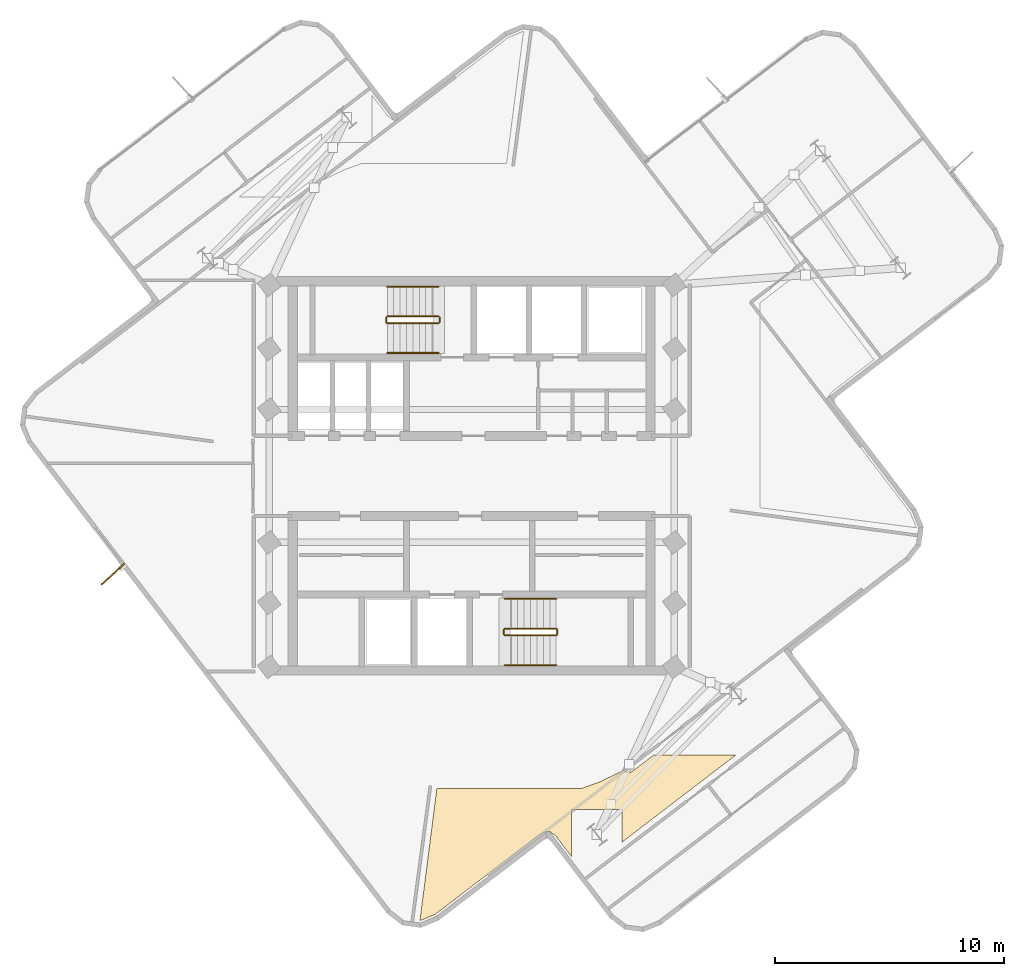
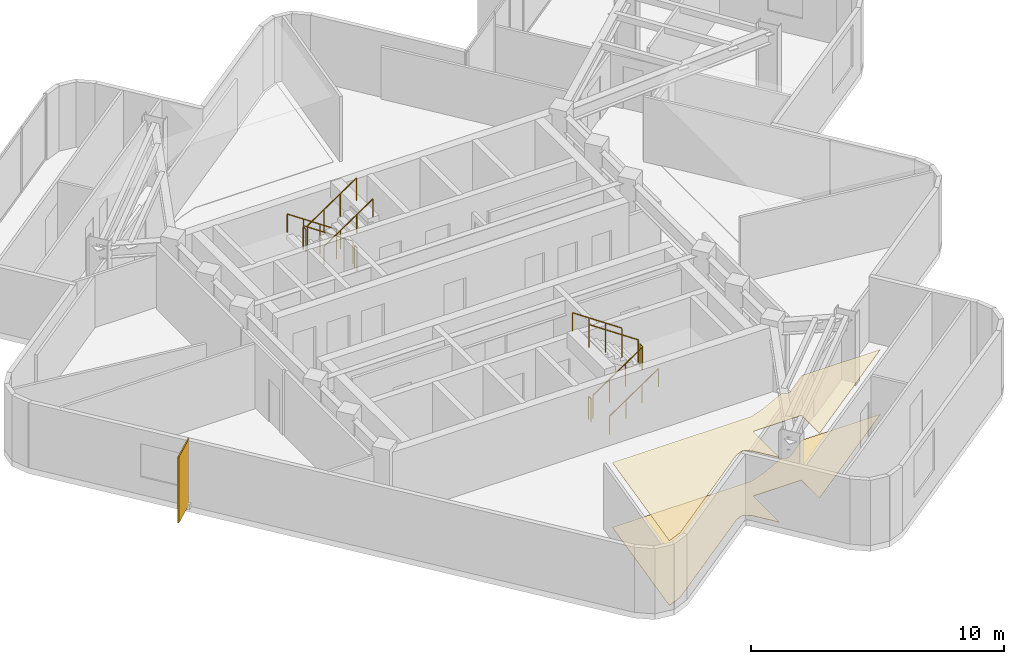
# One storey, part 7 of 8: 12 railings, 2 coverings, 1 shading device.
"""IFC4 building model written with IfcOpenShell, lengths in metres."""

from ifc_helpers import new_model, si_unit, direction, frame, origin, origin_2d, place, context, subcontext, project, spatial, polyline, rectangle, circle, outline, extrude, material, layer, layer_set, type_object, element, save


model = new_model("IFC4")

# Units and contexts
model_context = context("Model", 3, precision=1e-05, world=origin(), true_north=direction((0.0, 1.0)))
body_context = subcontext(model_context, "Body", "Model", "MODEL_VIEW")
ifc_project = project(units=[si_unit("LENGTHUNIT", "METRE"), si_unit("AREAUNIT", "SQUARE_METRE"), si_unit("VOLUMEUNIT", "CUBIC_METRE"), si_unit("PLANEANGLEUNIT", "RADIAN"), si_unit("MASSUNIT", "GRAM", prefix="KILO")], contexts=[model_context])

# Site, building, storey
site_placement = place(None, origin())
site = spatial("IfcSite", under=ifc_project, at=site_placement, CompositionType="ELEMENT")
building_placement = place(site_placement, origin())
building = spatial("IfcBuilding", under=site, at=building_placement, Name="Solmarez Civic Tower", CompositionType="ELEMENT")
storey_placement = place(building_placement, frame((0.0, 0.0, 232.56005859375)))
storey = spatial("IfcBuildingStorey", under=building, at=storey_placement, Name="L62", CompositionType="ELEMENT", Elevation=232.56005859375)

# Coverings
ifc_material_1 = material(Name="Perforated Mineral-Fibre Acoustic Ceiling")
ifc_layer_1 = layer(ifc_material_1, 0.02490234375)
ifc_layer_set_1 = layer_set([ifc_layer_1], Name="Perforated Mineral-Fibre Acoustic Ceiling")
covering_type_1 = type_object("IfcCoveringType", Name="COV-CEIL-ACOUSTIC", PredefinedType="CEILING", material=ifc_layer_set_1)
covering_1_placement = place(storey_placement, frame((0.0, 0.0, 3.114990234375)))
element("IfcCovering", 1, at=covering_1_placement, inside=storey, type_object=covering_type_1, Name="L62 Suspended Acoustic Ceiling 1", PredefinedType="CEILING", context=body_context, shape_type="SweptSolid", body=[
    extrude(outline(polyline([(3.47412109375, -15.58203125), (3.4990234375, -15.59912109375), (3.637939453125, -15.7060546875), (3.64306640625, -15.7099609375), (3.662109375, -15.72607421875), (3.6669921875, -15.73095703125), (3.679931640625, -15.74609375), (3.68505859375, -15.751953125), (3.69091796875, -15.759033203125), (4.367919921875, -16.64501953125), (4.367919921875, -14.571044921875), (6.568115234375, -14.571044921875), (6.568115234375, -16.0), (11.5380859375, -12.199951171875), (7.949951171875, -12.199951171875), (7.028076171875, -12.905029296875), (7.010986328125, -12.9169921875), (6.991943359375, -12.927001953125), (6.98388671875, -12.930908203125), (6.967041015625, -12.93896484375), (6.947998046875, -12.945068359375), (6.928955078125, -12.949951171875), (6.924072265625, -12.950927734375), (6.9189453125, -12.951904296875), (6.9140625, -12.952880859375), (6.89306640625, -12.9560546875), (6.87109375, -12.95703125), (6.865966796875, -12.95703125), (6.842041015625, -12.9560546875), (6.8330078125, -12.955078125), (6.81298828125, -12.951904296875), (6.7939453125, -12.947021484375), (6.784912109375, -12.944091796875), (6.76611328125, -12.93701171875), (6.748046875, -12.928955078125), (6.72998046875, -12.919921875), (6.721923828125, -12.9150390625), (6.701904296875, -12.89990234375), (6.68310546875, -12.884033203125), (6.676025390625, -12.876953125), (6.672119140625, -12.873046875), (6.660888671875, -12.85888671875), (5.552978515625, -13.384033203125), (5.532958984375, -13.39208984375), (4.85107421875, -13.635986328125), (4.844970703125, -13.637939453125), (4.818115234375, -13.64501953125), (4.81298828125, -13.64599609375), (4.7919921875, -13.64892578125), (4.77001953125, -13.64990234375), (-1.52294921875, -13.64990234375), (-2.262939453125, -19.430908203125), (-2.256103515625, -19.431884765625), (-1.60205078125, -19.162109375), (2.97412109375, -15.6630859375), (2.986083984375, -15.655029296875), (2.991943359375, -15.65087890625), (3.01611328125, -15.636962890625), (3.02197265625, -15.634033203125), (3.028076171875, -15.631103515625), (3.0419921875, -15.625), (3.200927734375, -15.55908203125), (3.22509765625, -15.550048828125), (3.23193359375, -15.548095703125), (3.239013671875, -15.547119140625), (3.2470703125, -15.544921875), (3.26904296875, -15.5400390625), (3.280029296875, -15.5390625), (3.2880859375, -15.5380859375), (3.305908203125, -15.535888671875), (3.323974609375, -15.535888671875), (3.342041015625, -15.5380859375), (3.35400390625, -15.5390625), (3.35888671875, -15.5400390625), (3.364990234375, -15.541015625), (3.385986328125, -15.5439453125), (3.405029296875, -15.550048828125), (3.425048828125, -15.556884765625), (3.431884765625, -15.56005859375), (3.43896484375, -15.56298828125), (3.45703125, -15.572021484375), (3.47412109375, -15.58203125)])), origin(), (0.0, 0.0, 1.0), 0.02490234375),
])
ifc_material_2 = material(Name="Polished Tropical Stone Terrazzo Flooring", Category="masonry")
ifc_layer_2 = layer(ifc_material_2, 0.02001953125)
ifc_layer_set_2 = layer_set([ifc_layer_2], Name="Polished Tropical Stone Terrazzo Flooring")
covering_type_2 = type_object("IfcCoveringType", Name="COV-FLOOR-TERRAZZO", PredefinedType="FLOORING", material=ifc_layer_set_2)
covering_2_placement = place(storey_placement, origin())
element("IfcCovering", 2, at=covering_2_placement, inside=storey, type_object=covering_type_2, Name="L62 Terrazzo Floor Finish 1", PredefinedType="FLOORING", context=body_context, shape_type="SweptSolid", body=[
    extrude(outline(polyline([(3.47412109375, -15.58203125), (3.4990234375, -15.59912109375), (3.637939453125, -15.7060546875), (3.64306640625, -15.7099609375), (3.662109375, -15.72607421875), (3.6669921875, -15.73095703125), (3.679931640625, -15.74609375), (3.68505859375, -15.751953125), (3.69091796875, -15.759033203125), (4.367919921875, -16.64501953125), (4.367919921875, -14.571044921875), (6.568115234375, -14.571044921875), (6.568115234375, -16.0), (11.5380859375, -12.199951171875), (7.949951171875, -12.199951171875), (7.028076171875, -12.905029296875), (7.010986328125, -12.9169921875), (6.991943359375, -12.927001953125), (6.98388671875, -12.930908203125), (6.967041015625, -12.93896484375), (6.947998046875, -12.945068359375), (6.928955078125, -12.949951171875), (6.924072265625, -12.950927734375), (6.9189453125, -12.951904296875), (6.9140625, -12.952880859375), (6.89306640625, -12.9560546875), (6.87109375, -12.95703125), (6.865966796875, -12.95703125), (6.842041015625, -12.9560546875), (6.8330078125, -12.955078125), (6.81298828125, -12.951904296875), (6.7939453125, -12.947021484375), (6.784912109375, -12.944091796875), (6.76611328125, -12.93701171875), (6.748046875, -12.928955078125), (6.72998046875, -12.919921875), (6.721923828125, -12.9150390625), (6.701904296875, -12.89990234375), (6.68310546875, -12.884033203125), (6.676025390625, -12.876953125), (6.672119140625, -12.873046875), (6.660888671875, -12.85888671875), (5.552978515625, -13.384033203125), (5.532958984375, -13.39208984375), (4.85107421875, -13.635986328125), (4.844970703125, -13.637939453125), (4.818115234375, -13.64501953125), (4.81298828125, -13.64599609375), (4.7919921875, -13.64892578125), (4.77001953125, -13.64990234375), (-1.52294921875, -13.64990234375), (-2.262939453125, -19.430908203125), (-2.256103515625, -19.431884765625), (-1.60205078125, -19.162109375), (2.97412109375, -15.6630859375), (2.986083984375, -15.655029296875), (2.991943359375, -15.65087890625), (3.01611328125, -15.636962890625), (3.02197265625, -15.634033203125), (3.028076171875, -15.631103515625), (3.0419921875, -15.625), (3.200927734375, -15.55908203125), (3.22509765625, -15.550048828125), (3.23193359375, -15.548095703125), (3.239013671875, -15.547119140625), (3.2470703125, -15.544921875), (3.26904296875, -15.5400390625), (3.280029296875, -15.5390625), (3.2880859375, -15.5380859375), (3.305908203125, -15.535888671875), (3.323974609375, -15.535888671875), (3.342041015625, -15.5380859375), (3.35400390625, -15.5390625), (3.35888671875, -15.5400390625), (3.364990234375, -15.541015625), (3.385986328125, -15.5439453125), (3.405029296875, -15.550048828125), (3.425048828125, -15.556884765625), (3.431884765625, -15.56005859375), (3.43896484375, -15.56298828125), (3.45703125, -15.572021484375), (3.47412109375, -15.58203125)])), origin(), (0.0, 0.0, 1.0), 0.02001953125),
])

# Shading device
ifc_material_3 = material(Name="Bronze Anodised Aluminium EN AW-6063 T6", Category="aluminium")
ifc_layer_3 = layer(ifc_material_3, 0.054931640625)
ifc_layer_set_3 = layer_set([ifc_layer_3], Name="Bronze Anodised Aluminium EN AW-6063 T6")
shading_device_type = type_object("IfcShadingDeviceType", Name="FIN-BRONZE-Z56", PredefinedType="USERDEFINED", material=ifc_layer_set_3)
shading_device_placement = place(storey_placement, frame((-15.68701171875, -4.302978515625, -0.0400390625), z_axis=(0.0, 0.0, 1.0), x_axis=(-0.736215213051, -0.676747486196, 0.0)))
element("IfcShadingDevice", 3, at=shading_device_placement, inside=storey, type_object=shading_device_type, Name="L62 Anodised Bronze Solar Fin FIN-L62-01", ObjectType="FIN", PredefinedType="USERDEFINED", context=body_context, shape_type="SweptSolid", body=[
    extrude(rectangle(XDim=1.35009765625, YDim=0.054931640625, at=origin_2d()), origin(), (0.0, 0.0, 1.0), 3.179931640625),
])

# Railings
ifc_material_4 = material(Name="Painted Steel Stairwell Safety Guard", Category="steel")
railing_type_1 = type_object("IfcRailingType", Name="GUARD-STAIR-1120", PredefinedType="BALUSTRADE", material=ifc_material_4)
railing_1_placement = place(storey_placement, frame((-1.449951171875, 6.969970703125, 0.18994140625)))
element("IfcRailing", 4, at=railing_1_placement, inside=storey, type_object=railing_type_1, Name="L62 ST-1 stair guard 1", PredefinedType="BALUSTRADE", context=body_context, shape_type="SweptSolid", body=[
    extrude(circle(Radius=0.02392578125, at=origin_2d()), frame((0.0, 0.0, 1.09619140625), z_axis=(-0.827471284677, 0.0, 0.561508034703), x_axis=(0.0, -1.0, 0.0)), (0.0, 0.0, 1.0), 2.70703125),
    extrude(circle(Radius=0.02099609375, at=origin_2d()), origin(), (0.0, 0.0, 1.0), 1.072021484375),
    extrude(circle(Radius=0.02099609375, at=origin_2d()), frame((-0.74658203125, 0.0, 0.506591796875)), (0.0, 0.0, 1.0), 1.072021484375),
    extrude(circle(Radius=0.02099609375, at=origin_2d()), frame((-1.493408203125, 0.0, 1.013427734375)), (0.0, 0.0, 1.0), 1.072021484375),
    extrude(circle(Radius=0.02099609375, at=origin_2d()), frame((-2.239990234375, 0.0, 1.52001953125)), (0.0, 0.0, 1.0), 1.072021484375),
])
railing_2_placement = place(storey_placement, frame((-3.739990234375, 6.919921875, 1.7099609375)))
element("IfcRailing", 5, at=railing_2_placement, inside=storey, type_object=railing_type_1, Name="L62 ST-1 stair guard 2", PredefinedType="BALUSTRADE", context=body_context, shape_type="SweptSolid", body=[
    extrude(circle(Radius=0.02392578125, at=origin_2d()), frame((0.0, 0.0, 1.09619140625), z_axis=(0.0, -1.0, 0.0), x_axis=(1.0, 0.0, 0.0)), (0.0, 0.0, 1.0), 0.199951171875),
    extrude(circle(Radius=0.02099609375, at=origin_2d()), origin(), (0.0, 0.0, 1.0), 1.072021484375),
    extrude(circle(Radius=0.02099609375, at=origin_2d()), frame((0.0, -0.199951171875, 0.0)), (0.0, 0.0, 1.0), 1.072021484375),
])
railing_3_placement = place(storey_placement, frame((-3.68994140625, 6.669921875, 1.89990234375)))
element("IfcRailing", 6, at=railing_3_placement, inside=storey, type_object=railing_type_1, Name="L62 ST-1 stair guard 3", PredefinedType="BALUSTRADE", context=body_context, shape_type="SweptSolid", body=[
    extrude(circle(Radius=0.02392578125, at=origin_2d()), frame((0.0, 0.0, 1.09619140625), z_axis=(0.827471284677, 0.0, 0.561508034703), x_axis=(0.0, 1.0, 0.0)), (0.0, 0.0, 1.0), 2.70703125),
    extrude(circle(Radius=0.02099609375, at=origin_2d()), origin(), (0.0, 0.0, 1.0), 1.072021484375),
    extrude(circle(Radius=0.02099609375, at=origin_2d()), frame((0.74658203125, 0.0, 0.506591796875)), (0.0, 0.0, 1.0), 1.072021484375),
    extrude(circle(Radius=0.02099609375, at=origin_2d()), frame((1.493408203125, 0.0, 1.013427734375)), (0.0, 0.0, 1.0), 1.072021484375),
    extrude(circle(Radius=0.02099609375, at=origin_2d()), frame((2.239990234375, 0.0, 1.52001953125)), (0.0, 0.0, 1.0), 1.072021484375),
])
railing_4_placement = place(storey_placement, frame((-1.39990234375, 6.919921875, 0.0)))
element("IfcRailing", 7, at=railing_4_placement, inside=storey, type_object=railing_type_1, Name="L62 ST-1 stair guard 4", PredefinedType="BALUSTRADE", context=body_context, shape_type="SweptSolid", body=[
    extrude(circle(Radius=0.02392578125, at=origin_2d()), frame((0.0, 0.0, 1.09619140625), z_axis=(0.0, -1.0, 0.0), x_axis=(1.0, 0.0, 0.0)), (0.0, 0.0, 1.0), 0.199951171875),
    extrude(circle(Radius=0.02099609375, at=origin_2d()), origin(), (0.0, 0.0, 1.0), 1.072021484375),
    extrude(circle(Radius=0.02099609375, at=origin_2d()), frame((0.0, -0.199951171875, 0.0)), (0.0, 0.0, 1.0), 1.072021484375),
])
railing_5_placement = place(storey_placement, frame((1.449951171875, -6.969970703125, 0.18994140625)))
element("IfcRailing", 8, at=railing_5_placement, inside=storey, type_object=railing_type_1, Name="L62 ST-2 stair guard 1", PredefinedType="BALUSTRADE", context=body_context, shape_type="SweptSolid", body=[
    extrude(circle(Radius=0.02392578125, at=origin_2d()), frame((0.0, 0.0, 1.09619140625), z_axis=(0.827471284677, 0.0, 0.561508034703), x_axis=(0.0, 1.0, 0.0)), (0.0, 0.0, 1.0), 2.70703125),
    extrude(circle(Radius=0.02099609375, at=origin_2d()), origin(), (0.0, 0.0, 1.0), 1.072021484375),
    extrude(circle(Radius=0.02099609375, at=origin_2d()), frame((0.74658203125, 0.0, 0.506591796875)), (0.0, 0.0, 1.0), 1.072021484375),
    extrude(circle(Radius=0.02099609375, at=origin_2d()), frame((1.493408203125, 0.0, 1.013427734375)), (0.0, 0.0, 1.0), 1.072021484375),
    extrude(circle(Radius=0.02099609375, at=origin_2d()), frame((2.239990234375, 0.0, 1.52001953125)), (0.0, 0.0, 1.0), 1.072021484375),
])
railing_6_placement = place(storey_placement, frame((3.739990234375, -6.919921875, 1.7099609375)))
element("IfcRailing", 9, at=railing_6_placement, inside=storey, type_object=railing_type_1, Name="L62 ST-2 stair guard 2", PredefinedType="BALUSTRADE", context=body_context, shape_type="SweptSolid", body=[
    extrude(circle(Radius=0.02392578125, at=origin_2d()), frame((0.0, 0.0, 1.09619140625), z_axis=(0.0, 1.0, 0.0), x_axis=(-1.0, 0.0, 0.0)), (0.0, 0.0, 1.0), 0.199951171875),
    extrude(circle(Radius=0.02099609375, at=origin_2d()), origin(), (0.0, 0.0, 1.0), 1.072021484375),
    extrude(circle(Radius=0.02099609375, at=origin_2d()), frame((0.0, 0.199951171875, 0.0)), (0.0, 0.0, 1.0), 1.072021484375),
])
railing_7_placement = place(storey_placement, frame((3.68994140625, -6.669921875, 1.89990234375)))
element("IfcRailing", 10, at=railing_7_placement, inside=storey, type_object=railing_type_1, Name="L62 ST-2 stair guard 3", PredefinedType="BALUSTRADE", context=body_context, shape_type="SweptSolid", body=[
    extrude(circle(Radius=0.02392578125, at=origin_2d()), frame((0.0, 0.0, 1.09619140625), z_axis=(-0.827471284677, 0.0, 0.561508034703), x_axis=(0.0, -1.0, 0.0)), (0.0, 0.0, 1.0), 2.70703125),
    extrude(circle(Radius=0.02099609375, at=origin_2d()), origin(), (0.0, 0.0, 1.0), 1.072021484375),
    extrude(circle(Radius=0.02099609375, at=origin_2d()), frame((-0.74658203125, 0.0, 0.506591796875)), (0.0, 0.0, 1.0), 1.072021484375),
    extrude(circle(Radius=0.02099609375, at=origin_2d()), frame((-1.493408203125, 0.0, 1.013427734375)), (0.0, 0.0, 1.0), 1.072021484375),
    extrude(circle(Radius=0.02099609375, at=origin_2d()), frame((-2.239990234375, 0.0, 1.52001953125)), (0.0, 0.0, 1.0), 1.072021484375),
])
railing_8_placement = place(storey_placement, frame((1.39990234375, -6.919921875, 0.0)))
element("IfcRailing", 11, at=railing_8_placement, inside=storey, type_object=railing_type_1, Name="L62 ST-2 stair guard 4", PredefinedType="BALUSTRADE", context=body_context, shape_type="SweptSolid", body=[
    extrude(circle(Radius=0.02392578125, at=origin_2d()), frame((0.0, 0.0, 1.09619140625), z_axis=(0.0, 1.0, 0.0), x_axis=(-1.0, 0.0, 0.0)), (0.0, 0.0, 1.0), 0.199951171875),
    extrude(circle(Radius=0.02099609375, at=origin_2d()), origin(), (0.0, 0.0, 1.0), 1.072021484375),
    extrude(circle(Radius=0.02099609375, at=origin_2d()), frame((0.0, 0.199951171875, 0.0)), (0.0, 0.0, 1.0), 1.072021484375),
])
ifc_material_5 = material(Name="Brushed Stainless Steel Tube Handrail", Category="steel")
railing_type_2 = type_object("IfcRailingType", Name="HANDRAIL-STAIR-900", PredefinedType="HANDRAIL", material=ifc_material_5)
railing_9_placement = place(storey_placement, frame((-1.449951171875, 8.27001953125, 0.18994140625)))
element("IfcRailing", 12, at=railing_9_placement, inside=storey, type_object=railing_type_2, Name="L62 ST-1 stair handrail 1", PredefinedType="HANDRAIL", context=body_context, shape_type="SweptSolid", body=[
    extrude(circle(Radius=0.02392578125, at=origin_2d()), frame((0.0, 0.0, 0.8759765625), z_axis=(-0.827471284677, 0.0, 0.561508034703), x_axis=(0.0, -1.0, 0.0)), (0.0, 0.0, 1.0), 2.70703125),
    extrude(circle(Radius=0.02099609375, at=origin_2d()), origin(), (0.0, 0.0, 1.0), 0.851806640625),
    extrude(circle(Radius=0.02099609375, at=origin_2d()), frame((-0.74658203125, 0.0, 0.506591796875)), (0.0, 0.0, 1.0), 0.851806640625),
    extrude(circle(Radius=0.02099609375, at=origin_2d()), frame((-1.493408203125, 0.0, 1.013427734375)), (0.0, 0.0, 1.0), 0.851806640625),
    extrude(circle(Radius=0.02099609375, at=origin_2d()), frame((-2.239990234375, 0.0, 1.52001953125)), (0.0, 0.0, 1.0), 0.851806640625),
])
for number, where, name in (
    (13, (-3.68994140625, 5.3701171875, 1.89990234375), "L62 ST-1 stair handrail 2"),
    (14, (1.449951171875, -8.27001953125, 0.18994140625), "L62 ST-2 stair handrail 1"),
):
    element("IfcRailing", number, at=place(storey_placement, frame(where)), inside=storey, type_object=railing_type_2, Name=name, PredefinedType="HANDRAIL", context=body_context, shape_type="SweptSolid", body=[
        extrude(circle(Radius=0.02392578125, at=origin_2d()), frame((0.0, 0.0, 0.8759765625), z_axis=(0.827471284677, 0.0, 0.561508034703), x_axis=(0.0, 1.0, 0.0)), (0.0, 0.0, 1.0), 2.70703125),
        extrude(circle(Radius=0.02099609375, at=origin_2d()), origin(), (0.0, 0.0, 1.0), 0.851806640625),
        extrude(circle(Radius=0.02099609375, at=origin_2d()), frame((0.74658203125, 0.0, 0.506591796875)), (0.0, 0.0, 1.0), 0.851806640625),
        extrude(circle(Radius=0.02099609375, at=origin_2d()), frame((1.493408203125, 0.0, 1.013427734375)), (0.0, 0.0, 1.0), 0.851806640625),
        extrude(circle(Radius=0.02099609375, at=origin_2d()), frame((2.239990234375, 0.0, 1.52001953125)), (0.0, 0.0, 1.0), 0.851806640625),
    ])
railing_10_placement = place(storey_placement, frame((3.68994140625, -5.3701171875, 1.89990234375)))
element("IfcRailing", 15, at=railing_10_placement, inside=storey, type_object=railing_type_2, Name="L62 ST-2 stair handrail 2", PredefinedType="HANDRAIL", context=body_context, shape_type="SweptSolid", body=[
    extrude(circle(Radius=0.02392578125, at=origin_2d()), frame((0.0, 0.0, 0.8759765625), z_axis=(-0.827471284677, 0.0, 0.561508034703), x_axis=(0.0, -1.0, 0.0)), (0.0, 0.0, 1.0), 2.70703125),
    extrude(circle(Radius=0.02099609375, at=origin_2d()), origin(), (0.0, 0.0, 1.0), 0.851806640625),
    extrude(circle(Radius=0.02099609375, at=origin_2d()), frame((-0.74658203125, 0.0, 0.506591796875)), (0.0, 0.0, 1.0), 0.851806640625),
    extrude(circle(Radius=0.02099609375, at=origin_2d()), frame((-1.493408203125, 0.0, 1.013427734375)), (0.0, 0.0, 1.0), 0.851806640625),
    extrude(circle(Radius=0.02099609375, at=origin_2d()), frame((-2.239990234375, 0.0, 1.52001953125)), (0.0, 0.0, 1.0), 0.851806640625),
])

save(model, "model.ifc")
